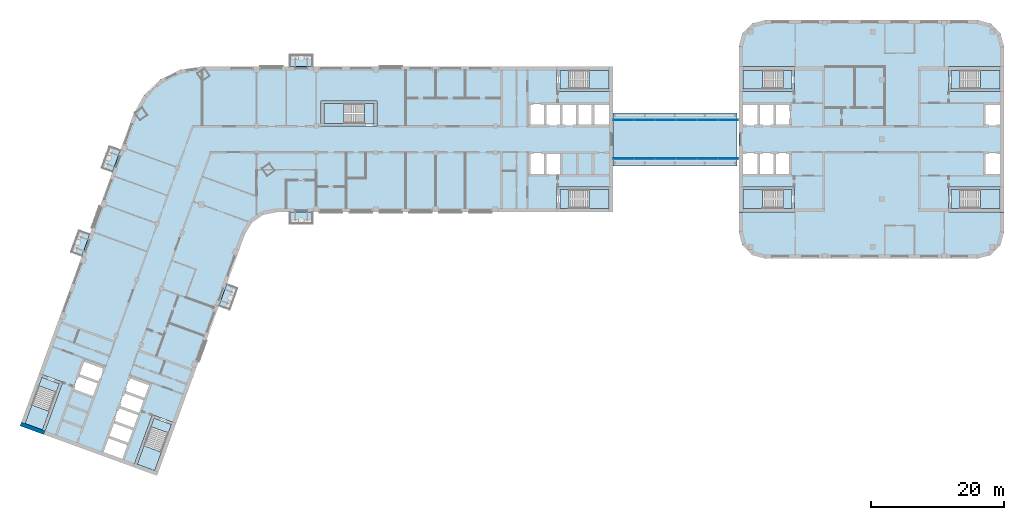
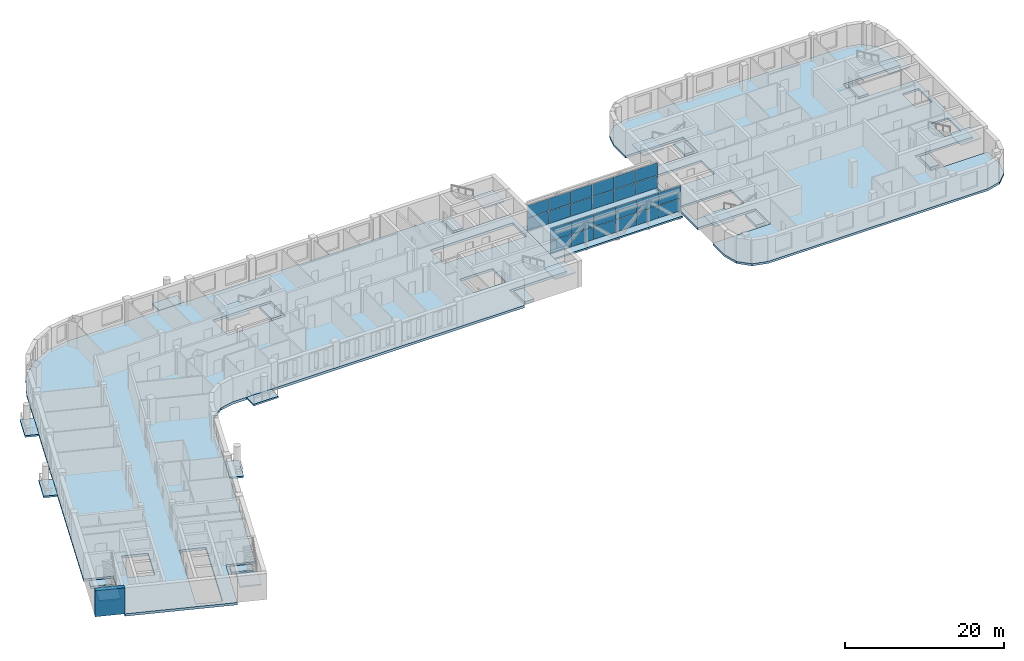
# One storey, part 3 of 18: 26 slabs, 24 plates, 1 wall, 11 elements without a shape of their own.
"""IFC4 building model written with IfcOpenShell, lengths in metres."""

from ifc_helpers import new_model, si_unit, direction, frame, frame_2d, origin, origin_2d, place, context, subcontext, project, spatial, polyline, rectangle, outline, extrude, material, layer, layer_set, type_object, element, aggregate, save


model = new_model("IFC4")

# Units and contexts
model_context = context("Model", 3, precision=1e-05, world=origin(), true_north=direction((0.0, 1.0)))
body_context = subcontext(model_context, "Body", "Model", "MODEL_VIEW")
ifc_project = project(units=[si_unit("LENGTHUNIT", "METRE"), si_unit("AREAUNIT", "SQUARE_METRE"), si_unit("VOLUMEUNIT", "CUBIC_METRE"), si_unit("PLANEANGLEUNIT", "RADIAN"), si_unit("MASSUNIT", "GRAM", prefix="KILO")], contexts=[model_context])

# Site, building, storey
site_placement = place(None, origin())
site = spatial("IfcSite", under=ifc_project, at=site_placement, CompositionType="ELEMENT")
building_placement = place(site_placement, origin())
building = spatial("IfcBuilding", under=site, at=building_placement, Name="Skarvind Civic Tower", CompositionType="ELEMENT")
storey_placement = place(building_placement, frame((0.0, 0.0, 31.5)))
storey = spatial("IfcBuildingStorey", under=building, at=storey_placement, Name="L06", CompositionType="ELEMENT", Elevation=31.5)

# Slab
ifc_material_1 = material(Name="Concrete C40", Category="concrete")
ifc_layer_1 = layer(ifc_material_1, 0.25)
ifc_layer_set_1 = layer_set([ifc_layer_1], Name="Bridge deck slab 250 C40")
slab_type_1 = type_object("IfcSlabType", Name="Bridge deck slab 250 C40", PredefinedType="FLOOR", material=ifc_layer_set_1)
slab_1_placement = place(storey_placement, frame((0.0, 0.0, -0.25)))
element("IfcSlab", 1, at=slab_1_placement, inside=storey, type_object=slab_type_1, Name="Link bridge BR1 deck slab", PredefinedType="FLOOR", context=body_context, shape_type="SweptSolid", body=[
    extrude(outline(polyline([(108.0, 124.0), (126.699951171875, 124.0), (126.699951171875, 132.0), (108.0, 132.0), (108.0, 124.0)])), origin(), (0.0, 0.0, 1.0), 0.25),
])

# Curtain wall, plates
ifc_material_2 = material(Name="Aluminium alloy 6063 and laminated glass", Category="aluminium")
curtain_wall_type = type_object("IfcCurtainWallType", Name="CW4 BRIDGE ENCLOSURE GLAZING", PredefinedType="NOTDEFINED", material=ifc_material_2)
curtain_wall_1_placement = place(storey_placement, origin())
curtain_wall_1 = element("IfcCurtainWall", 2, at=curtain_wall_1_placement, inside=storey, type_object=curtain_wall_type, Name="BRIDGE ENCLOSURE GLAZING", PredefinedType="NOTDEFINED")
ifc_material_3 = material(Name="Insulated aluminium spandrel panel", Category="aluminium")
ifc_layer_2 = layer(ifc_material_3, 0.06005859375)
ifc_layer_set_2 = layer_set([ifc_layer_2], Name="CW4 SPANDREL PANEL 60")
plate_type = type_object("IfcPlateType", Name="CW4 SPANDREL PANEL 60", PredefinedType="CURTAIN_PANEL", material=ifc_layer_set_2)
plate_1_placement = place(storey_placement, frame((125.401611328125, 125.090087890625, 0.06005859375), z_axis=(0.0, 0.0, 1.0), x_axis=(-1.0, 0.0, 0.0)))
plate_1 = element("IfcPlate", 3, at=plate_1_placement, type_object=plate_type, Name="CW4 spandrel panel 1.1", PredefinedType="CURTAIN_PANEL", context=body_context, shape_type="SweptSolid", body=[
    extrude(rectangle(XDim=3.07666015625, YDim=0.06005859375, at=origin_2d()), origin(), (0.0, 0.0, 1.0), 1.909912109375),
])
plate_2_placement = place(storey_placement, frame((125.401611328125, 125.090087890625, 2.0302734375), z_axis=(0.0, 0.0, 1.0), x_axis=(-1.0, 0.0, 0.0)))
plate_2 = element("IfcPlate", 4, at=plate_2_placement, type_object=plate_type, Name="CW4 spandrel panel 1.2", PredefinedType="CURTAIN_PANEL", context=body_context, shape_type="SweptSolid", body=[
    extrude(rectangle(XDim=3.07666015625, YDim=0.06005859375, at=origin_2d()), origin(), (0.0, 0.0, 1.0), 1.909912109375),
])
plate_3_placement = place(storey_placement, frame((122.25, 125.090087890625, 0.06005859375), z_axis=(0.0, 0.0, 1.0), x_axis=(-1.0, 0.0, 0.0)))
plate_3 = element("IfcPlate", 5, at=plate_3_placement, type_object=plate_type, Name="CW4 spandrel panel 2.1", PredefinedType="CURTAIN_PANEL", context=body_context, shape_type="SweptSolid", body=[
    extrude(rectangle(XDim=3.106689453125, YDim=0.06005859375, at=origin_2d()), origin(), (0.0, 0.0, 1.0), 1.909912109375),
])
plate_4_placement = place(storey_placement, frame((122.25, 125.090087890625, 2.0302734375), z_axis=(0.0, 0.0, 1.0), x_axis=(-1.0, 0.0, 0.0)))
plate_4 = element("IfcPlate", 6, at=plate_4_placement, type_object=plate_type, Name="CW4 spandrel panel 2.2", PredefinedType="CURTAIN_PANEL", context=body_context, shape_type="SweptSolid", body=[
    extrude(rectangle(XDim=3.106689453125, YDim=0.06005859375, at=origin_2d()), origin(), (0.0, 0.0, 1.0), 1.909912109375),
])
plate_5_placement = place(storey_placement, frame((119.083251953125, 125.090087890625, 0.06005859375), z_axis=(0.0, 0.0, 1.0), x_axis=(-1.0, 0.0, 0.0)))
plate_5 = element("IfcPlate", 7, at=plate_5_placement, type_object=plate_type, Name="CW4 spandrel panel 3.1", PredefinedType="CURTAIN_PANEL", context=body_context, shape_type="SweptSolid", body=[
    extrude(rectangle(XDim=3.106689453125, YDim=0.06005859375, at=origin_2d()), origin(), (0.0, 0.0, 1.0), 1.909912109375),
])
plate_6_placement = place(storey_placement, frame((119.083251953125, 125.090087890625, 2.0302734375), z_axis=(0.0, 0.0, 1.0), x_axis=(-1.0, 0.0, 0.0)))
plate_6 = element("IfcPlate", 8, at=plate_6_placement, type_object=plate_type, Name="CW4 spandrel panel 3.2", PredefinedType="CURTAIN_PANEL", context=body_context, shape_type="SweptSolid", body=[
    extrude(rectangle(XDim=3.106689453125, YDim=0.06005859375, at=origin_2d()), origin(), (0.0, 0.0, 1.0), 1.909912109375),
])
plate_7_placement = place(storey_placement, frame((115.916748046875, 125.090087890625, 0.06005859375), z_axis=(0.0, 0.0, 1.0), x_axis=(-1.0, 0.0, 0.0)))
plate_7 = element("IfcPlate", 9, at=plate_7_placement, type_object=plate_type, Name="CW4 spandrel panel 4.1", PredefinedType="CURTAIN_PANEL", context=body_context, shape_type="SweptSolid", body=[
    extrude(rectangle(XDim=3.106689453125, YDim=0.06005859375, at=origin_2d()), origin(), (0.0, 0.0, 1.0), 1.909912109375),
])
plate_8_placement = place(storey_placement, frame((115.916748046875, 125.090087890625, 2.0302734375), z_axis=(0.0, 0.0, 1.0), x_axis=(-1.0, 0.0, 0.0)))
plate_8 = element("IfcPlate", 10, at=plate_8_placement, type_object=plate_type, Name="CW4 spandrel panel 4.2", PredefinedType="CURTAIN_PANEL", context=body_context, shape_type="SweptSolid", body=[
    extrude(rectangle(XDim=3.106689453125, YDim=0.06005859375, at=origin_2d()), origin(), (0.0, 0.0, 1.0), 1.909912109375),
])
plate_9_placement = place(storey_placement, frame((112.75, 125.090087890625, 0.06005859375), z_axis=(0.0, 0.0, 1.0), x_axis=(-1.0, 0.0, 0.0)))
plate_9 = element("IfcPlate", 11, at=plate_9_placement, type_object=plate_type, Name="CW4 spandrel panel 5.1", PredefinedType="CURTAIN_PANEL", context=body_context, shape_type="SweptSolid", body=[
    extrude(rectangle(XDim=3.106689453125, YDim=0.06005859375, at=origin_2d()), origin(), (0.0, 0.0, 1.0), 1.909912109375),
])
plate_10_placement = place(storey_placement, frame((112.75, 125.090087890625, 2.0302734375), z_axis=(0.0, 0.0, 1.0), x_axis=(-1.0, 0.0, 0.0)))
plate_10 = element("IfcPlate", 12, at=plate_10_placement, type_object=plate_type, Name="CW4 spandrel panel 5.2", PredefinedType="CURTAIN_PANEL", context=body_context, shape_type="SweptSolid", body=[
    extrude(rectangle(XDim=3.106689453125, YDim=0.06005859375, at=origin_2d()), origin(), (0.0, 0.0, 1.0), 1.909912109375),
])
plate_11_placement = place(storey_placement, frame((109.598388671875, 125.090087890625, 0.06005859375), z_axis=(0.0, 0.0, 1.0), x_axis=(-1.0, 0.0, 0.0)))
plate_11 = element("IfcPlate", 13, at=plate_11_placement, type_object=plate_type, Name="CW4 spandrel panel 6.1", PredefinedType="CURTAIN_PANEL", context=body_context, shape_type="SweptSolid", body=[
    extrude(rectangle(XDim=3.07666015625, YDim=0.06005859375, at=origin_2d()), origin(), (0.0, 0.0, 1.0), 1.909912109375),
])
plate_12_placement = place(storey_placement, frame((109.598388671875, 125.090087890625, 2.0302734375), z_axis=(0.0, 0.0, 1.0), x_axis=(-1.0, 0.0, 0.0)))
plate_12 = element("IfcPlate", 14, at=plate_12_placement, type_object=plate_type, Name="CW4 spandrel panel 6.2", PredefinedType="CURTAIN_PANEL", context=body_context, shape_type="SweptSolid", body=[
    extrude(rectangle(XDim=3.07666015625, YDim=0.06005859375, at=origin_2d()), origin(), (0.0, 0.0, 1.0), 1.909912109375),
])
aggregate(curtain_wall_1, [plate_1, plate_2, plate_3, plate_4, plate_5, plate_6, plate_7, plate_8, plate_9, plate_10, plate_11, plate_12])

curtain_wall_2_placement = place(storey_placement, origin())
curtain_wall_2 = element("IfcCurtainWall", 15, at=curtain_wall_2_placement, inside=storey, type_object=curtain_wall_type, Name="BRIDGE ENCLOSURE GLAZING", PredefinedType="NOTDEFINED")
plate_13_placement = place(storey_placement, frame((109.598388671875, 130.909912109375, 0.06005859375), z_axis=(0.0, 0.0, 1.0), x_axis=(1.0, 0.0, 0.0)))
plate_13 = element("IfcPlate", 16, at=plate_13_placement, type_object=plate_type, Name="CW4 spandrel panel 1.1", PredefinedType="CURTAIN_PANEL", context=body_context, shape_type="SweptSolid", body=[
    extrude(rectangle(XDim=3.07666015625, YDim=0.06005859375, at=origin_2d()), origin(), (0.0, 0.0, 1.0), 1.909912109375),
])
plate_14_placement = place(storey_placement, frame((109.598388671875, 130.909912109375, 2.0302734375), z_axis=(0.0, 0.0, 1.0), x_axis=(1.0, 0.0, 0.0)))
plate_14 = element("IfcPlate", 17, at=plate_14_placement, type_object=plate_type, Name="CW4 spandrel panel 1.2", PredefinedType="CURTAIN_PANEL", context=body_context, shape_type="SweptSolid", body=[
    extrude(rectangle(XDim=3.07666015625, YDim=0.06005859375, at=origin_2d()), origin(), (0.0, 0.0, 1.0), 1.909912109375),
])
plate_15_placement = place(storey_placement, frame((112.75, 130.909912109375, 0.06005859375), z_axis=(0.0, 0.0, 1.0), x_axis=(1.0, 0.0, 0.0)))
plate_15 = element("IfcPlate", 18, at=plate_15_placement, type_object=plate_type, Name="CW4 spandrel panel 2.1", PredefinedType="CURTAIN_PANEL", context=body_context, shape_type="SweptSolid", body=[
    extrude(rectangle(XDim=3.106689453125, YDim=0.06005859375, at=origin_2d()), origin(), (0.0, 0.0, 1.0), 1.909912109375),
])
plate_16_placement = place(storey_placement, frame((112.75, 130.909912109375, 2.0302734375), z_axis=(0.0, 0.0, 1.0), x_axis=(1.0, 0.0, 0.0)))
plate_16 = element("IfcPlate", 19, at=plate_16_placement, type_object=plate_type, Name="CW4 spandrel panel 2.2", PredefinedType="CURTAIN_PANEL", context=body_context, shape_type="SweptSolid", body=[
    extrude(rectangle(XDim=3.106689453125, YDim=0.06005859375, at=origin_2d()), origin(), (0.0, 0.0, 1.0), 1.909912109375),
])
plate_17_placement = place(storey_placement, frame((115.916748046875, 130.909912109375, 0.06005859375), z_axis=(0.0, 0.0, 1.0), x_axis=(1.0, 0.0, 0.0)))
plate_17 = element("IfcPlate", 20, at=plate_17_placement, type_object=plate_type, Name="CW4 spandrel panel 3.1", PredefinedType="CURTAIN_PANEL", context=body_context, shape_type="SweptSolid", body=[
    extrude(rectangle(XDim=3.106689453125, YDim=0.06005859375, at=origin_2d()), origin(), (0.0, 0.0, 1.0), 1.909912109375),
])
plate_18_placement = place(storey_placement, frame((115.916748046875, 130.909912109375, 2.0302734375), z_axis=(0.0, 0.0, 1.0), x_axis=(1.0, 0.0, 0.0)))
plate_18 = element("IfcPlate", 21, at=plate_18_placement, type_object=plate_type, Name="CW4 spandrel panel 3.2", PredefinedType="CURTAIN_PANEL", context=body_context, shape_type="SweptSolid", body=[
    extrude(rectangle(XDim=3.106689453125, YDim=0.06005859375, at=origin_2d()), origin(), (0.0, 0.0, 1.0), 1.909912109375),
])
plate_19_placement = place(storey_placement, frame((119.083251953125, 130.909912109375, 0.06005859375), z_axis=(0.0, 0.0, 1.0), x_axis=(1.0, 0.0, 0.0)))
plate_19 = element("IfcPlate", 22, at=plate_19_placement, type_object=plate_type, Name="CW4 spandrel panel 4.1", PredefinedType="CURTAIN_PANEL", context=body_context, shape_type="SweptSolid", body=[
    extrude(rectangle(XDim=3.106689453125, YDim=0.06005859375, at=origin_2d()), origin(), (0.0, 0.0, 1.0), 1.909912109375),
])
plate_20_placement = place(storey_placement, frame((119.083251953125, 130.909912109375, 2.0302734375), z_axis=(0.0, 0.0, 1.0), x_axis=(1.0, 0.0, 0.0)))
plate_20 = element("IfcPlate", 23, at=plate_20_placement, type_object=plate_type, Name="CW4 spandrel panel 4.2", PredefinedType="CURTAIN_PANEL", context=body_context, shape_type="SweptSolid", body=[
    extrude(rectangle(XDim=3.106689453125, YDim=0.06005859375, at=origin_2d()), origin(), (0.0, 0.0, 1.0), 1.909912109375),
])
plate_21_placement = place(storey_placement, frame((122.25, 130.909912109375, 0.06005859375), z_axis=(0.0, 0.0, 1.0), x_axis=(1.0, 0.0, 0.0)))
plate_21 = element("IfcPlate", 24, at=plate_21_placement, type_object=plate_type, Name="CW4 spandrel panel 5.1", PredefinedType="CURTAIN_PANEL", context=body_context, shape_type="SweptSolid", body=[
    extrude(rectangle(XDim=3.106689453125, YDim=0.06005859375, at=origin_2d()), origin(), (0.0, 0.0, 1.0), 1.909912109375),
])
plate_22_placement = place(storey_placement, frame((122.25, 130.909912109375, 2.0302734375), z_axis=(0.0, 0.0, 1.0), x_axis=(1.0, 0.0, 0.0)))
plate_22 = element("IfcPlate", 25, at=plate_22_placement, type_object=plate_type, Name="CW4 spandrel panel 5.2", PredefinedType="CURTAIN_PANEL", context=body_context, shape_type="SweptSolid", body=[
    extrude(rectangle(XDim=3.106689453125, YDim=0.06005859375, at=origin_2d()), origin(), (0.0, 0.0, 1.0), 1.909912109375),
])
plate_23_placement = place(storey_placement, frame((125.401611328125, 130.909912109375, 0.06005859375), z_axis=(0.0, 0.0, 1.0), x_axis=(1.0, 0.0, 0.0)))
plate_23 = element("IfcPlate", 26, at=plate_23_placement, type_object=plate_type, Name="CW4 spandrel panel 6.1", PredefinedType="CURTAIN_PANEL", context=body_context, shape_type="SweptSolid", body=[
    extrude(rectangle(XDim=3.07666015625, YDim=0.06005859375, at=origin_2d()), origin(), (0.0, 0.0, 1.0), 1.909912109375),
])
plate_24_placement = place(storey_placement, frame((125.401611328125, 130.909912109375, 2.0302734375), z_axis=(0.0, 0.0, 1.0), x_axis=(1.0, 0.0, 0.0)))
plate_24 = element("IfcPlate", 27, at=plate_24_placement, type_object=plate_type, Name="CW4 spandrel panel 6.2", PredefinedType="CURTAIN_PANEL", context=body_context, shape_type="SweptSolid", body=[
    extrude(rectangle(XDim=3.07666015625, YDim=0.06005859375, at=origin_2d()), origin(), (0.0, 0.0, 1.0), 1.909912109375),
])
aggregate(curtain_wall_2, [plate_13, plate_14, plate_15, plate_16, plate_17, plate_18, plate_19, plate_20, plate_21, plate_22, plate_23, plate_24])

# Slabs
ifc_material_4 = material(Name="Concrete C50", Category="concrete")
ifc_layer_3 = layer(ifc_material_4, 0.375)
ifc_layer_set_3 = layer_set([ifc_layer_3], Name="Floor slab 375 C50")
slab_type_2 = type_object("IfcSlabType", Name="Floor slab 375 C50", PredefinedType="FLOOR", material=ifc_layer_set_3)
slab_2_placement = place(storey_placement, frame((0.0, 0.0, -0.375)))
element("IfcSlab", 28, at=slab_2_placement, inside=storey, type_object=slab_type_2, Name="Floor slab L06 1", PredefinedType="FLOOR", context=body_context, shape_type="SweptSolid", body=[
    extrude(outline(polyline([(99.60009765625, 117.0), (99.60009765625, 120.800048828125), (108.0, 120.800048828125), (108.0, 135.199951171875), (99.60009765625, 135.199951171875), (99.60009765625, 139.0), (46.095458984375, 139.0), (42.739501953125, 138.5009765625), (39.6943359375, 137.005615234375), (37.24755859375, 134.6552734375), (35.630615234375, 131.672607421875), (19.41748046875, 87.126708984375), (21.435302734375, 92.6708984375), (25.006103515625, 91.371337890625), (22.13330078125, 83.477783203125), (36.886474609375, 78.108154296875), (35.664794921875, 78.552734375), (38.53759765625, 86.4462890625), (42.108642578125, 85.146484375), (40.0908203125, 79.602294921875), (40.0908203125, 79.602294921875), (52.493896484375, 113.68017578125), (53.560791015625, 115.421630859375), (55.23388671875, 116.593017578125), (57.235107421875, 117.0), (99.60009765625, 117.0)]), holes=[polyline([(32.625244140625, 85.40576171875), (33.446044921875, 87.660888671875), (34.26708984375, 89.916259765625), (35.087890625, 92.17138671875), (38.28271484375, 91.008544921875), (37.4619140625, 88.75341796875), (36.64111328125, 86.498046875), (35.8203125, 84.242919921875), (35.8203125, 84.242919921875), (34.99951171875, 81.987548828125), (34.178466796875, 79.732421875), (30.983642578125, 80.89501953125), (31.804443359375, 83.150390625), (32.625244140625, 85.40576171875), (32.625244140625, 85.40576171875)]), polyline([(31.3291015625, 93.53955078125), (30.50830078125, 91.2841796875), (29.6875, 89.029052734375), (26.492431640625, 90.19189453125), (27.313232421875, 92.447021484375), (28.134033203125, 94.702392578125), (31.3291015625, 93.53955078125)]), polyline([(64.0, 130.0), (64.0, 133.800048828125), (72.39990234375, 133.800048828125), (72.39990234375, 130.0), (64.0, 130.0)]), polyline([(100.199951171875, 126.0), (100.199951171875, 122.60009765625), (97.800048828125, 122.60009765625), (95.39990234375, 122.60009765625), (95.39990234375, 126.0), (97.800048828125, 126.0), (100.199951171875, 126.0)]), polyline([(100.199951171875, 133.39990234375), (102.60009765625, 133.39990234375), (105.0, 133.39990234375), (107.39990234375, 133.39990234375), (107.39990234375, 130.0), (105.0, 130.0), (102.60009765625, 130.0), (100.199951171875, 130.0), (97.800048828125, 130.0), (95.39990234375, 130.0), (95.39990234375, 133.39990234375), (97.800048828125, 133.39990234375), (100.199951171875, 133.39990234375)])]), origin(), (0.0, 0.0, 1.0), 0.375),
])
ifc_material_5 = material(Name="Precast concrete C40/50", Category="concrete")
ifc_layer_4 = layer(ifc_material_5, 0.25)
ifc_layer_set_4 = layer_set([ifc_layer_4], Name="SX3 BALCONY SLAB 250")
slab_type_3 = type_object("IfcSlabType", Name="SX3 BALCONY SLAB 250", PredefinedType="FLOOR", material=ifc_layer_set_4)
slab_3_placement = place(storey_placement, frame((0.0, 0.0, -0.25)))
element("IfcSlab", 29, at=slab_3_placement, inside=storey, type_object=slab_type_3, Name="TREE BALCONY SLAB", PredefinedType="FLOOR", context=body_context, shape_type="SweptSolid", body=[
    extrude(outline(polyline([(49.769775390625, 106.19580078125), (48.53857421875, 102.812744140625), (50.22998046875, 102.197265625), (51.461181640625, 105.580078125), (49.769775390625, 106.19580078125)])), origin(), (0.0, 0.0, 1.0), 0.25),
])
slab_4_placement = place(storey_placement, frame((0.0, 0.0, -0.25)))
element("IfcSlab", 30, at=slab_4_placement, inside=storey, type_object=slab_type_3, Name="TREE BALCONY SLAB", PredefinedType="FLOOR", context=body_context, shape_type="SweptSolid", body=[
    extrude(outline(polyline([(62.800048828125, 117.0), (59.199951171875, 117.0), (59.199951171875, 115.199951171875), (62.800048828125, 115.199951171875), (62.800048828125, 117.0)])), origin(), (0.0, 0.0, 1.0), 0.25),
])
slab_5_placement = place(storey_placement, frame((0.0, 0.0, -0.25)))
element("IfcSlab", 31, at=slab_5_placement, inside=storey, type_object=slab_type_3, Name="TREE BALCONY SLAB", PredefinedType="FLOOR", context=body_context, shape_type="SweptSolid", body=[
    extrude(outline(polyline([(59.199951171875, 139.0), (62.800048828125, 139.0), (62.800048828125, 140.800048828125), (59.199951171875, 140.800048828125), (59.199951171875, 139.0)])), origin(), (0.0, 0.0, 1.0), 0.25),
])
slab_6_placement = place(storey_placement, frame((0.0, 0.0, -0.25)))
element("IfcSlab", 32, at=slab_6_placement, inside=storey, type_object=slab_type_3, Name="TREE BALCONY SLAB", PredefinedType="FLOOR", context=body_context, shape_type="SweptSolid", body=[
    extrude(outline(polyline([(27.865234375, 110.33740234375), (29.0966796875, 113.72021484375), (27.4052734375, 114.335693359375), (26.173828125, 110.952880859375), (27.865234375, 110.33740234375)])), origin(), (0.0, 0.0, 1.0), 0.25),
])
slab_7_placement = place(storey_placement, frame((0.0, 0.0, -0.25)))
element("IfcSlab", 33, at=slab_7_placement, inside=storey, type_object=slab_type_3, Name="TREE BALCONY SLAB", PredefinedType="FLOOR", context=body_context, shape_type="SweptSolid", body=[
    extrude(outline(polyline([(32.482666015625, 123.023193359375), (33.7138671875, 126.406005859375), (32.0224609375, 127.021728515625), (30.791259765625, 123.638916015625), (32.482666015625, 123.023193359375)])), origin(), (0.0, 0.0, 1.0), 0.25),
])
ifc_layer_5 = layer(ifc_material_4, 0.324951171875)
ifc_layer_set_5 = layer_set([ifc_layer_5], Name="Second tower floor slab 325 C50")
slab_type_4 = type_object("IfcSlabType", Name="Second tower floor slab 325 C50", PredefinedType="FLOOR", material=ifc_layer_set_5)
slab_8_placement = place(storey_placement, frame((0.0, 0.0, -0.324951171875)))
element("IfcSlab", 34, at=slab_8_placement, inside=storey, type_object=slab_type_4, Name="Floor slab L06 1", PredefinedType="FLOOR", context=body_context, shape_type="SweptSolid", body=[
    extrude(outline(polyline([(127.0, 139.0), (135.39990234375, 139.0), (135.39990234375, 135.199951171875), (127.0, 135.199951171875), (127.0, 120.800048828125), (135.39990234375, 120.800048828125), (135.39990234375, 117.0), (127.0, 117.0), (127.0, 114.0), (127.535888671875, 112.0), (129.0, 110.535888671875), (131.0, 110.0), (163.0, 110.0), (165.0, 110.535888671875), (166.464111328125, 112.0), (167.0, 114.0), (167.0, 117.0), (158.60009765625, 117.0), (158.60009765625, 120.800048828125), (167.0, 120.800048828125), (167.0, 135.199951171875), (158.60009765625, 135.199951171875), (158.60009765625, 139.0), (167.0, 139.0), (167.0, 142.0), (166.464111328125, 144.0), (165.0, 145.464111328125), (163.0, 146.0), (131.0, 146.0), (129.0, 145.464111328125), (127.535888671875, 144.0), (127.0, 142.0), (127.0, 139.0)]), holes=[polyline([(132.39990234375, 126.0), (134.800048828125, 126.0), (134.800048828125, 122.60009765625), (132.39990234375, 122.60009765625), (130.0, 122.60009765625), (127.60009765625, 122.60009765625), (127.60009765625, 126.0), (130.0, 126.0), (132.39990234375, 126.0)]), polyline([(130.0, 133.39990234375), (132.39990234375, 133.39990234375), (134.800048828125, 133.39990234375), (134.800048828125, 130.0), (132.39990234375, 130.0), (130.0, 130.0), (127.60009765625, 130.0), (127.60009765625, 133.39990234375), (130.0, 133.39990234375)]), polyline([(166.39990234375, 126.0), (166.39990234375, 122.60009765625), (164.0, 122.60009765625), (164.0, 126.0), (166.39990234375, 126.0)]), polyline([(166.39990234375, 133.39990234375), (166.39990234375, 130.0), (164.0, 130.0), (164.0, 133.39990234375), (166.39990234375, 133.39990234375)])]), origin(), (0.0, 0.0, 1.0), 0.324951171875),
])
ifc_material_6 = material(Name="Concrete C40/50", Category="concrete")
ifc_layer_6 = layer(ifc_material_6, 0.375)
ifc_layer_set_6 = layer_set([ifc_layer_6], Name="Stair floor landing slab 375")
slab_type_5 = type_object("IfcSlabType", Name="Stair floor landing slab 375", PredefinedType="LANDING", material=ifc_layer_set_6)
slab_9_placement = place(storey_placement, frame((0.0, 0.0, -0.375)))
element("IfcSlab", 35, at=slab_9_placement, inside=storey, type_object=slab_type_5, Name="Stair floor landing", PredefinedType="LANDING", context=body_context, shape_type="SweptSolid", body=[
    extrude(outline(polyline([(101.3505859375, 138.400634765625), (101.3505859375, 135.599365234375), (99.99951171875, 135.599365234375), (99.99951171875, 138.400634765625), (101.3505859375, 138.400634765625)])), origin(), (0.0, 0.0, 1.0), 0.375),
])
slab_10_placement = place(storey_placement, frame((0.0, 0.0, -0.375)))
element("IfcSlab", 36, at=slab_10_placement, inside=storey, type_object=slab_type_5, Name="Stair floor landing", PredefinedType="LANDING", context=body_context, shape_type="SweptSolid", body=[
    extrude(outline(polyline([(101.3505859375, 120.400634765625), (101.3505859375, 117.599365234375), (99.99951171875, 117.599365234375), (99.99951171875, 120.400634765625), (101.3505859375, 120.400634765625)])), origin(), (0.0, 0.0, 1.0), 0.375),
])
slab_11_placement = place(storey_placement, frame((0.0, 0.0, -0.375)))
element("IfcSlab", 37, at=slab_11_placement, inside=storey, type_object=slab_type_5, Name="Stair floor landing", PredefinedType="LANDING", context=body_context, shape_type="SweptSolid", body=[
    extrude(outline(polyline([(40.946533203125, 83.70654296875), (38.314208984375, 84.66455078125), (38.7763671875, 85.934326171875), (41.40869140625, 84.976318359375), (40.946533203125, 83.70654296875)])), origin(), (0.0, 0.0, 1.0), 0.375),
])
slab_12_placement = place(storey_placement, frame((0.0, 0.0, -0.375)))
element("IfcSlab", 38, at=slab_12_placement, inside=storey, type_object=slab_type_5, Name="Stair floor landing", PredefinedType="LANDING", context=body_context, shape_type="SweptSolid", body=[
    extrude(outline(polyline([(24.0322265625, 89.863037109375), (21.39990234375, 90.821044921875), (21.862060546875, 92.090576171875), (24.494384765625, 91.132568359375), (24.0322265625, 89.863037109375)])), origin(), (0.0, 0.0, 1.0), 0.375),
])
slab_13_placement = place(storey_placement, frame((0.0, 0.0, -0.375)))
element("IfcSlab", 39, at=slab_13_placement, inside=storey, type_object=slab_type_5, Name="Stair floor landing", PredefinedType="LANDING", context=body_context, shape_type="SweptSolid", body=[
    extrude(outline(polyline([(133.6494140625, 117.599365234375), (133.6494140625, 120.400634765625), (135.00048828125, 120.400634765625), (135.00048828125, 117.599365234375), (133.6494140625, 117.599365234375)])), origin(), (0.0, 0.0, 1.0), 0.375),
])
slab_14_placement = place(storey_placement, frame((0.0, 0.0, -0.375)))
element("IfcSlab", 40, at=slab_14_placement, inside=storey, type_object=slab_type_5, Name="Stair floor landing", PredefinedType="LANDING", context=body_context, shape_type="SweptSolid", body=[
    extrude(outline(polyline([(133.6494140625, 135.599365234375), (133.6494140625, 138.400634765625), (135.00048828125, 138.400634765625), (135.00048828125, 135.599365234375), (133.6494140625, 135.599365234375)])), origin(), (0.0, 0.0, 1.0), 0.375),
])
slab_15_placement = place(storey_placement, frame((0.0, 0.0, -0.375)))
element("IfcSlab", 41, at=slab_15_placement, inside=storey, type_object=slab_type_5, Name="Stair floor landing", PredefinedType="LANDING", context=body_context, shape_type="SweptSolid", body=[
    extrude(outline(polyline([(160.3505859375, 138.400634765625), (160.3505859375, 135.599365234375), (158.99951171875, 135.599365234375), (158.99951171875, 138.400634765625), (160.3505859375, 138.400634765625)])), origin(), (0.0, 0.0, 1.0), 0.375),
])
slab_16_placement = place(storey_placement, frame((0.0, 0.0, -0.375)))
element("IfcSlab", 42, at=slab_16_placement, inside=storey, type_object=slab_type_5, Name="Stair floor landing", PredefinedType="LANDING", context=body_context, shape_type="SweptSolid", body=[
    extrude(outline(polyline([(160.3505859375, 120.400634765625), (160.3505859375, 117.599365234375), (158.99951171875, 117.599365234375), (158.99951171875, 120.400634765625), (160.3505859375, 120.400634765625)])), origin(), (0.0, 0.0, 1.0), 0.375),
])
slab_17_placement = place(storey_placement, frame((0.0, 0.0, -0.375)))
element("IfcSlab", 43, at=slab_17_placement, inside=storey, type_object=slab_type_5, Name="Stair floor landing", PredefinedType="LANDING", context=body_context, shape_type="SweptSolid", body=[
    extrude(outline(polyline([(70.54931640625, 130.3994140625), (70.54931640625, 133.400634765625), (72.00048828125, 133.400634765625), (72.00048828125, 130.3994140625), (70.54931640625, 130.3994140625)])), origin(), (0.0, 0.0, 1.0), 0.375),
])

# Stair, slab
stair_type_1 = type_object("IfcStairType", Name="Exit stair, half-turn, concrete", PredefinedType="HALF_TURN_STAIR", material=ifc_material_6)
stair_1_placement = place(storey_placement, origin())
stair_1 = element("IfcStair", 44, at=stair_1_placement, inside=storey, type_object=stair_type_1, Name="Exit stair C1S", PredefinedType="HALF_TURN_STAIR")
ifc_layer_7 = layer(ifc_material_6, 0.199951171875)
ifc_layer_set_7 = layer_set([ifc_layer_7], Name="Stair half landing slab")
slab_type_6 = type_object("IfcSlabType", Name="Stair half landing slab", PredefinedType="LANDING", material=ifc_layer_set_7)
slab_18_placement = place(storey_placement, frame((0.0, 0.0, 1.800048828125)))
slab_18 = element("IfcSlab", 45, at=slab_18_placement, type_object=slab_type_6, Name="ST-C1S landing 1", PredefinedType="LANDING", context=body_context, shape_type="SweptSolid", body=[
    extrude(outline(polyline([(104.429443359375, 135.599365234375), (104.429443359375, 138.400634765625), (107.400634765625, 138.400634765625), (107.400634765625, 135.599365234375), (104.429443359375, 135.599365234375)])), origin(), (0.0, 0.0, 1.0), 0.199951171875),
])
aggregate(stair_1, [slab_18])

stair_2_placement = place(storey_placement, origin())
stair_2 = element("IfcStair", 46, at=stair_2_placement, inside=storey, type_object=stair_type_1, Name="Exit stair C1N", PredefinedType="HALF_TURN_STAIR")
slab_19_placement = place(storey_placement, frame((0.0, 0.0, 1.800048828125)))
slab_19 = element("IfcSlab", 47, at=slab_19_placement, type_object=slab_type_6, Name="ST-C1N landing 1", PredefinedType="LANDING", context=body_context, shape_type="SweptSolid", body=[
    extrude(outline(polyline([(104.429443359375, 117.599365234375), (104.429443359375, 120.400634765625), (107.400634765625, 120.400634765625), (107.400634765625, 117.599365234375), (104.429443359375, 117.599365234375)])), origin(), (0.0, 0.0, 1.0), 0.199951171875),
])
aggregate(stair_2, [slab_19])

stair_3_placement = place(storey_placement, origin())
stair_3 = element("IfcStair", 48, at=stair_3_placement, inside=storey, type_object=stair_type_1, Name="Exit stair C2S", PredefinedType="HALF_TURN_STAIR")
slab_20_placement = place(storey_placement, frame((0.0, 0.0, 1.800048828125)))
slab_20 = element("IfcSlab", 49, at=slab_20_placement, type_object=slab_type_6, Name="ST-C2S landing 1", PredefinedType="LANDING", context=body_context, shape_type="SweptSolid", body=[
    extrude(outline(polyline([(37.26123046875, 81.771484375), (39.8935546875, 80.8134765625), (38.87744140625, 78.021484375), (36.2451171875, 78.9794921875), (37.26123046875, 81.771484375)])), origin(), (0.0, 0.0, 1.0), 0.199951171875),
])
aggregate(stair_3, [slab_20])

stair_4_placement = place(storey_placement, origin())
stair_4 = element("IfcStair", 50, at=stair_4_placement, inside=storey, type_object=stair_type_1, Name="Exit stair C2N", PredefinedType="HALF_TURN_STAIR")
slab_21_placement = place(storey_placement, frame((0.0, 0.0, 1.800048828125)))
slab_21 = element("IfcSlab", 51, at=slab_21_placement, type_object=slab_type_6, Name="ST-C2N landing 1", PredefinedType="LANDING", context=body_context, shape_type="SweptSolid", body=[
    extrude(outline(polyline([(20.346923828125, 87.927734375), (22.97900390625, 86.9697265625), (21.962890625, 84.177734375), (19.33056640625, 85.1357421875), (20.346923828125, 87.927734375)])), origin(), (0.0, 0.0, 1.0), 0.199951171875),
])
aggregate(stair_4, [slab_21])

stair_5_placement = place(storey_placement, origin())
stair_5 = element("IfcStair", 52, at=stair_5_placement, inside=storey, type_object=stair_type_1, Name="Exit stair CAS", PredefinedType="HALF_TURN_STAIR")
slab_22_placement = place(storey_placement, frame((0.0, 0.0, 1.800048828125)))
slab_22 = element("IfcSlab", 53, at=slab_22_placement, type_object=slab_type_6, Name="ST-CAS landing 1", PredefinedType="LANDING", context=body_context, shape_type="SweptSolid", body=[
    extrude(outline(polyline([(130.570556640625, 120.400634765625), (130.570556640625, 117.599365234375), (127.599365234375, 117.599365234375), (127.599365234375, 120.400634765625), (130.570556640625, 120.400634765625)])), origin(), (0.0, 0.0, 1.0), 0.199951171875),
])
aggregate(stair_5, [slab_22])

stair_6_placement = place(storey_placement, origin())
stair_6 = element("IfcStair", 54, at=stair_6_placement, inside=storey, type_object=stair_type_1, Name="Exit stair CAN", PredefinedType="HALF_TURN_STAIR")
slab_23_placement = place(storey_placement, frame((0.0, 0.0, 1.800048828125)))
slab_23 = element("IfcSlab", 55, at=slab_23_placement, type_object=slab_type_6, Name="ST-CAN landing 1", PredefinedType="LANDING", context=body_context, shape_type="SweptSolid", body=[
    extrude(outline(polyline([(130.570556640625, 138.400634765625), (130.570556640625, 135.599365234375), (127.599365234375, 135.599365234375), (127.599365234375, 138.400634765625), (130.570556640625, 138.400634765625)])), origin(), (0.0, 0.0, 1.0), 0.199951171875),
])
aggregate(stair_6, [slab_23])

stair_7_placement = place(storey_placement, origin())
stair_7 = element("IfcStair", 56, at=stair_7_placement, inside=storey, type_object=stair_type_1, Name="Exit stair CBS", PredefinedType="HALF_TURN_STAIR")
slab_24_placement = place(storey_placement, frame((0.0, 0.0, 1.800048828125)))
slab_24 = element("IfcSlab", 57, at=slab_24_placement, type_object=slab_type_6, Name="ST-CBS landing 1", PredefinedType="LANDING", context=body_context, shape_type="SweptSolid", body=[
    extrude(outline(polyline([(163.429443359375, 135.599365234375), (163.429443359375, 138.400634765625), (166.400634765625, 138.400634765625), (166.400634765625, 135.599365234375), (163.429443359375, 135.599365234375)])), origin(), (0.0, 0.0, 1.0), 0.199951171875),
])
aggregate(stair_7, [slab_24])

stair_8_placement = place(storey_placement, origin())
stair_8 = element("IfcStair", 58, at=stair_8_placement, inside=storey, type_object=stair_type_1, Name="Exit stair CBN", PredefinedType="HALF_TURN_STAIR")
slab_25_placement = place(storey_placement, frame((0.0, 0.0, 1.800048828125)))
slab_25 = element("IfcSlab", 59, at=slab_25_placement, type_object=slab_type_6, Name="ST-CBN landing 1", PredefinedType="LANDING", context=body_context, shape_type="SweptSolid", body=[
    extrude(outline(polyline([(163.429443359375, 117.599365234375), (163.429443359375, 120.400634765625), (166.400634765625, 120.400634765625), (166.400634765625, 117.599365234375), (163.429443359375, 117.599365234375)])), origin(), (0.0, 0.0, 1.0), 0.199951171875),
])
aggregate(stair_8, [slab_25])

stair_type_2 = type_object("IfcStairType", Name="Exit stair 1450, half-turn, concrete", PredefinedType="HALF_TURN_STAIR", material=ifc_material_6)
stair_9_placement = place(storey_placement, origin())
stair_9 = element("IfcStair", 60, at=stair_9_placement, inside=storey, type_object=stair_type_2, Name="Exit stair CM", PredefinedType="HALF_TURN_STAIR")
slab_26_placement = place(storey_placement, frame((0.0, 0.0, 1.800048828125)))
slab_26 = element("IfcSlab", 61, at=slab_26_placement, type_object=slab_type_6, Name="ST-CM landing 1", PredefinedType="LANDING", context=body_context, shape_type="SweptSolid", body=[
    extrude(outline(polyline([(67.470703125, 133.400634765625), (67.470703125, 130.3994140625), (64.3994140625, 130.3994140625), (64.3994140625, 133.400634765625), (67.470703125, 133.400634765625)])), origin(), (0.0, 0.0, 1.0), 0.199951171875),
])
aggregate(stair_9, [slab_26])

# Wall
ifc_material_7 = material(Name="Concrete C80", Category="concrete")
ifc_layer_8 = layer(ifc_material_7, 0.60009765625)
ifc_layer_set_8 = layer_set([ifc_layer_8], Name="Core wall 600 C80")
wall_type = type_object("IfcWallType", Name="Core wall 600 C80", PredefinedType="SHEAR", material=ifc_layer_set_8)
wall_placement = place(storey_placement, frame((22.23583984375, 83.759765625, 0.0), z_axis=(0.0, 0.0, 1.0), x_axis=(-0.939680822529, 0.342052557032, 0.0)))
element("IfcWall", 62, at=wall_placement, inside=storey, type_object=wall_type, Name="Core wall C2 tip at the north stair L06", PredefinedType="SHEAR", context=body_context, shape_type="SweptSolid", body=[
    extrude(rectangle(XDim=3.800048828125, YDim=0.60009765625, at=frame_2d((1.89990234375, 0.0))), origin(), (0.0, 0.0, 1.0), 4.0),
])

save(model, "model.ifc")
